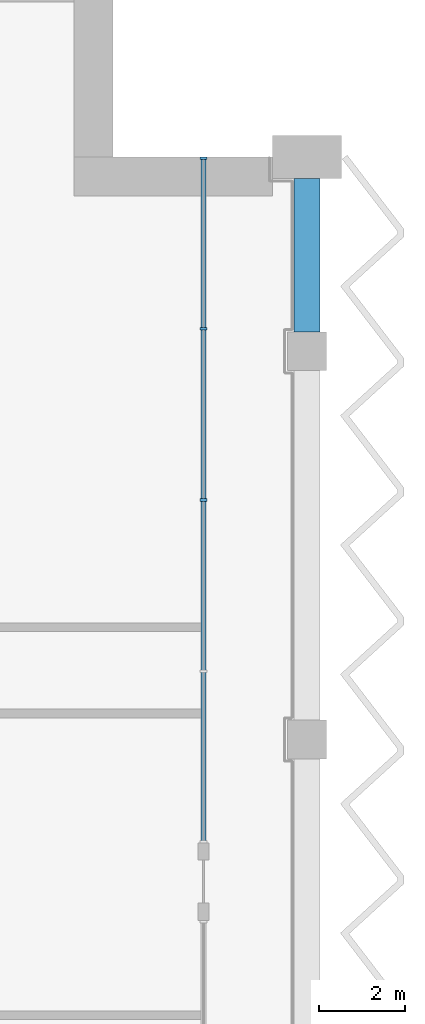
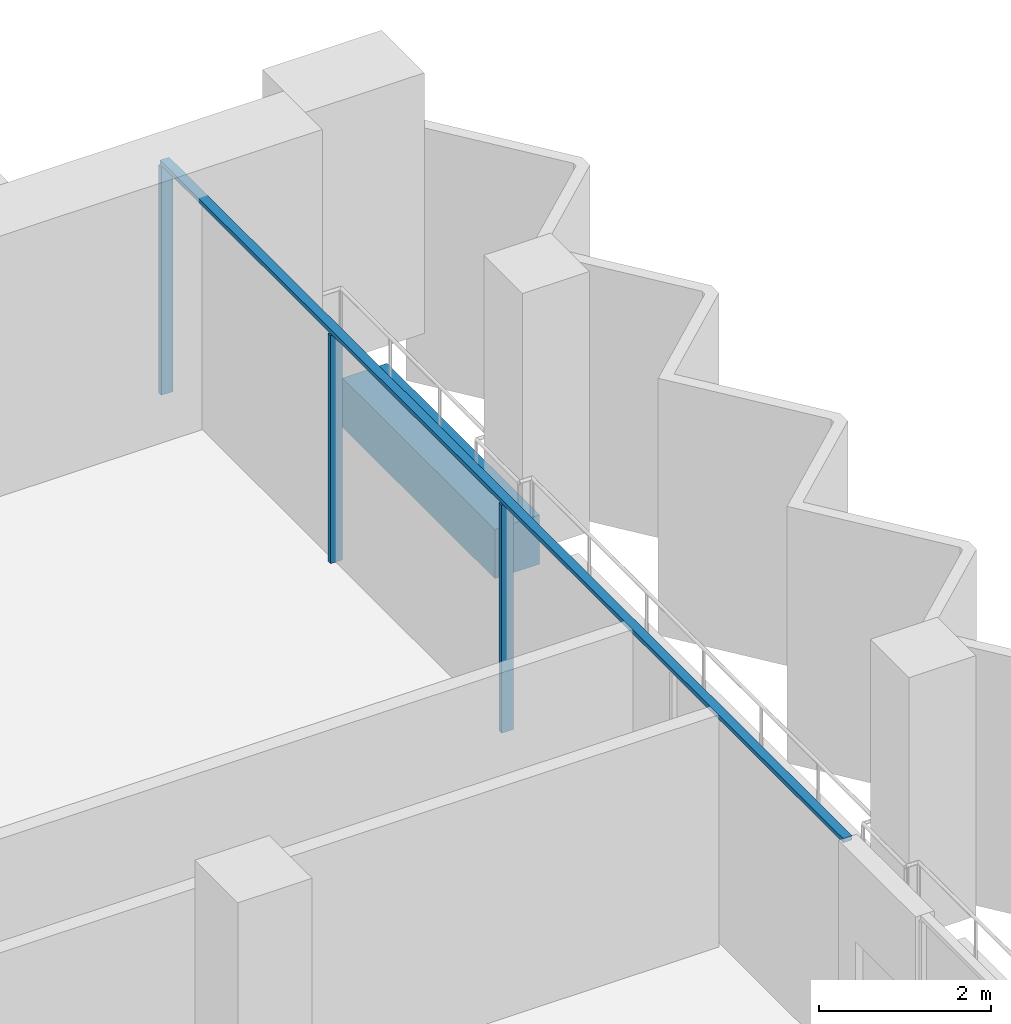
# One storey, part 5 of 16: 4 members, 1 beam, 1 element without a shape of its own.
"""IFC4 building model written with IfcOpenShell, lengths in metres."""

from ifc_helpers import new_model, si_unit, direction, frame, origin, origin_2d, place, context, subcontext, project, spatial, rectangle, extrude, material, material_profile, profile_set, type_object, element, aggregate, save


model = new_model("IFC4")

# Units and contexts
model_context = context("Model", 3, precision=1e-05, world=origin(), true_north=direction((0.0, 1.0)))
body_context = subcontext(model_context, "Body", "Model", "MODEL_VIEW")
ifc_project = project(units=[si_unit("LENGTHUNIT", "METRE"), si_unit("AREAUNIT", "SQUARE_METRE"), si_unit("VOLUMEUNIT", "CUBIC_METRE"), si_unit("PLANEANGLEUNIT", "RADIAN"), si_unit("MASSUNIT", "GRAM", prefix="KILO")], contexts=[model_context])

# Site, building, storey
site_placement = place(None, origin())
site = spatial("IfcSite", under=ifc_project, at=site_placement, CompositionType="ELEMENT")
building_placement = place(site_placement, origin())
building = spatial("IfcBuilding", under=site, at=building_placement, Name="Hunhe Ridgeline Campus", CompositionType="ELEMENT")
storey_placement = place(building_placement, frame((0.0, 0.0, 242.89990234375)))
storey = spatial("IfcBuildingStorey", under=building, at=storey_placement, Name="L62", CompositionType="ELEMENT", Elevation=242.89990234375)

# Curtain wall, members
ifc_material_1 = material(Name="Aluminium 6063", Category="aluminium")
curtain_wall_type = type_object("IfcCurtainWallType", Name="Curtain wall CW-1", PredefinedType="NOTDEFINED", material=ifc_material_1)
curtain_wall_placement = place(storey_placement, origin())
curtain_wall = element("IfcCurtainWall", 1, at=curtain_wall_placement, inside=storey, type_object=curtain_wall_type, Name="Curtain wall 13", PredefinedType="NOTDEFINED")
ifc_material_profile_1 = material_profile(ifc_material_1, rectangle(XDim=0.159912109375, YDim=0.06005859375, at=origin_2d()))
ifc_profile_set_1 = profile_set([ifc_material_profile_1], Name="Aluminium 6063")
member_type_1 = type_object("IfcMemberType", Name="CW-1 aluminium mullion", PredefinedType="MULLION", material=ifc_profile_set_1)
member_1_placement = place(storey_placement, frame((51.59912109375, 86.55029296875, 0.0), z_axis=(0.0, 0.0, 1.0), x_axis=(-1.0, 0.0, 0.0)))
member_1 = element("IfcMember", 2, at=member_1_placement, type_object=member_type_1, Name="CW-1 mullion 3", PredefinedType="MULLION", context=body_context, shape_type="SweptSolid", body=[
    extrude(rectangle(XDim=0.159912109375, YDim=0.06005859375, at=origin_2d()), origin(), (0.0, 0.0, 1.0), 3.239990234375),
])
member_2_placement = place(storey_placement, frame((51.59912109375, 90.525146484375, 0.0), z_axis=(0.0, 0.0, 1.0), x_axis=(-1.0, 0.0, 0.0)))
member_2 = element("IfcMember", 3, at=member_2_placement, type_object=member_type_1, Name="CW-1 mullion 4", PredefinedType="MULLION", context=body_context, shape_type="SweptSolid", body=[
    extrude(rectangle(XDim=0.159912109375, YDim=0.06005859375, at=origin_2d()), origin(), (0.0, 0.0, 1.0), 3.239990234375),
])
member_3_placement = place(storey_placement, frame((51.59912109375, 94.469970703125, 0.0), z_axis=(0.0, 0.0, 1.0), x_axis=(-1.0, 0.0, 0.0)))
member_3 = element("IfcMember", 4, at=member_3_placement, type_object=member_type_1, Name="CW-1 mullion 5", PredefinedType="MULLION", context=body_context, shape_type="SweptSolid", body=[
    extrude(rectangle(XDim=0.159912109375, YDim=0.06005859375, at=origin_2d()), origin(), (0.0, 0.0, 1.0), 3.239990234375),
])
ifc_material_profile_2 = material_profile(ifc_material_1, rectangle(XDim=0.1201171875, YDim=0.06005859375, at=origin_2d()))
ifc_profile_set_2 = profile_set([ifc_material_profile_2], Name="Aluminium 6063")
member_type_2 = type_object("IfcMemberType", Name="CW-1 aluminium transom", PredefinedType="USERDEFINED", material=ifc_profile_set_2)
member_4_placement = place(storey_placement, frame((51.59912109375, 78.6005859375, 3.27001953125), z_axis=(0.0, 1.0, 0.0), x_axis=(-1.0, 0.0, 0.0)))
member_4 = element("IfcMember", 5, at=member_4_placement, type_object=member_type_2, Name="CW-1 transom 1", ObjectType="TRANSOM", PredefinedType="USERDEFINED", context=body_context, shape_type="SweptSolid", body=[
    extrude(rectangle(XDim=0.1201171875, YDim=0.06005859375, at=origin_2d()), origin(), (0.0, 0.0, 1.0), 15.8994140625),
])
aggregate(curtain_wall, [member_4, member_1, member_2, member_3])

# Beam
ifc_material_2 = material(Name="Concrete C50", Category="concrete")
ifc_material_profile_3 = material_profile(ifc_material_2, rectangle(XDim=0.60009765625, YDim=0.699951171875, at=origin_2d()))
ifc_profile_set_3 = profile_set([ifc_material_profile_3], Name="Concrete C50")
beam_type = type_object("IfcBeamType", Name="RC spandrel beam 600x700 Concrete C50", PredefinedType="SPANDREL", material=ifc_profile_set_3)
beam_placement = place(storey_placement, frame((54.0, 90.449951171875, -0.599853515625), z_axis=(0.0, 1.0, 0.0), x_axis=(-1.0, 0.0, 0.0)))
element("IfcBeam", 6, at=beam_placement, inside=storey, type_object=beam_type, Name="Spandrel beam B4-17 L62", PredefinedType="SPANDREL", context=body_context, shape_type="SweptSolid", body=[
    extrude(rectangle(XDim=0.60009765625, YDim=0.699951171875, at=origin_2d()), origin(), (0.0, 0.0, 1.0), 3.550048828125),
])

save(model, "model.ifc")
